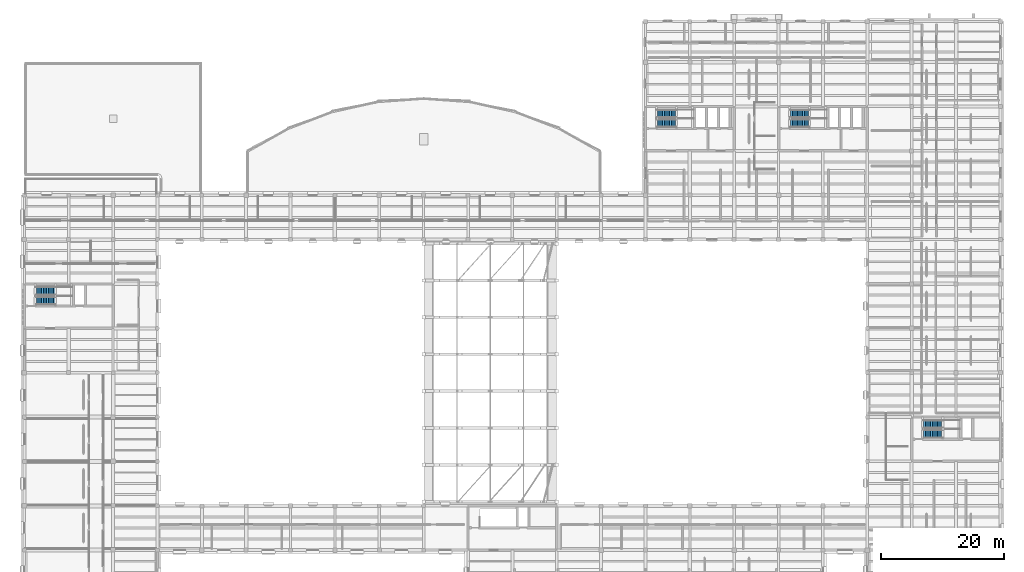
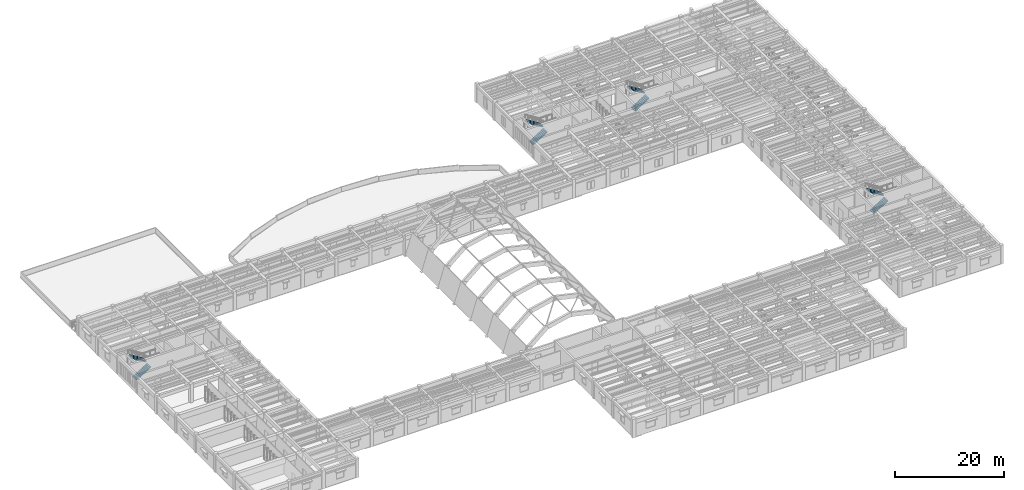
# One storey, part 55 of 66: 8 stair flights, 4 elements without a shape of their own.
"""IFC4 building model written with IfcOpenShell, lengths in metres."""

from ifc_helpers import new_model, si_unit, direction, frame, origin, place, context, subcontext, project, spatial, polyline, outline, extrude, material, type_object, element, aggregate, save


model = new_model("IFC4")

# Units and contexts
model_context = context("Model", 3, precision=1e-05, world=origin(), true_north=direction((0.0, 1.0)))
body_context = subcontext(model_context, "Body", "Model", "MODEL_VIEW")
ifc_project = project(units=[si_unit("LENGTHUNIT", "METRE"), si_unit("AREAUNIT", "SQUARE_METRE"), si_unit("VOLUMEUNIT", "CUBIC_METRE"), si_unit("PLANEANGLEUNIT", "RADIAN"), si_unit("MASSUNIT", "GRAM", prefix="KILO")], contexts=[model_context])

# Site, building, storey
site_placement = place(None, origin())
site = spatial("IfcSite", under=ifc_project, at=site_placement, CompositionType="ELEMENT")
building_placement = place(site_placement, origin())
building = spatial("IfcBuilding", under=site, at=building_placement, Name="Mithqara Police Headquarters", CompositionType="ELEMENT")
storey_placement = place(building_placement, frame((0.0, 0.0, 9.60009765625)))
storey = spatial("IfcBuildingStorey", under=building, at=storey_placement, Name="L02", CompositionType="ELEMENT", Elevation=9.60009765625)

# Stair, stair flights
ifc_material = material(Name="Concrete C40/50", Category="concrete")
stair_type_1 = type_object("IfcStairType", Name="STAIR ST 01-R24", PredefinedType="HALF_TURN_STAIR", material=ifc_material)
stair_1_placement = place(storey_placement, origin())
stair_1 = element("IfcStair", 1, at=stair_1_placement, inside=storey, type_object=stair_type_1, Name="L02 Core C1 Command West Exit Stair", PredefinedType="HALF_TURN_STAIR")
stair_flight_type_1 = type_object("IfcStairFlightType", Name="STAIR FLIGHT ST 01 F R12", PredefinedType="STRAIGHT", material=ifc_material)
stair_flight_1_placement = place(storey_placement, frame((110.550048828125, 97.47509765625, 0.0), z_axis=(0.0, 0.0, 1.0), x_axis=(1.0, 0.0, 0.0)))
stair_flight_1 = element("IfcStairFlight", 2, at=stair_flight_1_placement, type_object=stair_flight_type_1, Name="ST-01 flight 1", NumberOfRisers=12, NumberOfTreads=11, PredefinedType="STRAIGHT", RiserHeight=0.175, TreadLength=0.28, context=body_context, shape_type="SweptSolid", body=[
    extrude(outline(polyline([(0.0, 0.0), (0.0, 0.175048828125), (0.280029296875, 0.175048828125), (0.280029296875, 0.35009765625), (0.56005859375, 0.35009765625), (0.56005859375, 0.52490234375), (0.840087890625, 0.52490234375), (0.840087890625, 0.699951171875), (1.1201171875, 0.699951171875), (1.1201171875, 0.875), (1.39990234375, 0.875), (1.39990234375, 1.050048828125), (1.679931640625, 1.050048828125), (1.679931640625, 1.22509765625), (1.9599609375, 1.22509765625), (1.9599609375, 1.39990234375), (2.239990234375, 1.39990234375), (2.239990234375, 1.574951171875), (2.52001953125, 1.574951171875), (2.52001953125, 1.75), (2.800048828125, 1.75), (2.800048828125, 1.925048828125), (3.080078125, 1.925048828125), (3.080078125, 2.10009765625), (3.080078125, 1.748291015625), (0.28271484375, 0.0), (0.0, 0.0)])), frame((0.0, 0.675048828125, 0.0), z_axis=(0.0, -1.0, 0.0), x_axis=(1.0, 0.0, 0.0)), (0.0, 0.0, 1.0), 1.35009765625),
])
stair_flight_2_placement = place(storey_placement, frame((113.6298828125, 99.02490234375, 2.099853515625), z_axis=(0.0, 0.0, 1.0), x_axis=(-1.0, 0.0, 0.0)))
stair_flight_2 = element("IfcStairFlight", 3, at=stair_flight_2_placement, type_object=stair_flight_type_1, Name="ST-01 flight 2", NumberOfRisers=12, NumberOfTreads=11, PredefinedType="STRAIGHT", RiserHeight=0.175, TreadLength=0.28, context=body_context, shape_type="SweptSolid", body=[
    extrude(outline(polyline([(0.0, 0.0), (0.0, 0.175048828125), (0.280029296875, 0.175048828125), (0.280029296875, 0.35009765625), (0.56005859375, 0.35009765625), (0.56005859375, 0.52490234375), (0.840087890625, 0.52490234375), (0.840087890625, 0.699951171875), (1.1201171875, 0.699951171875), (1.1201171875, 0.875), (1.39990234375, 0.875), (1.39990234375, 1.050048828125), (1.679931640625, 1.050048828125), (1.679931640625, 1.22509765625), (1.9599609375, 1.22509765625), (1.9599609375, 1.39990234375), (2.239990234375, 1.39990234375), (2.239990234375, 1.574951171875), (2.52001953125, 1.574951171875), (2.52001953125, 1.75), (2.800048828125, 1.75), (2.800048828125, 1.925048828125), (3.080078125, 1.925048828125), (3.080078125, 2.10009765625), (3.080078125, 1.748291015625), (0.28271484375, 0.0), (0.0, 0.0)])), frame((0.0, 0.675048828125, 0.0), z_axis=(0.0, -1.0, 0.0), x_axis=(1.0, 0.0, 0.0)), (0.0, 0.0, 1.0), 1.35009765625),
])
aggregate(stair_1, [stair_flight_1, stair_flight_2])

stair_type_2 = type_object("IfcStairType", Name="STAIR ST 02-R24", PredefinedType="HALF_TURN_STAIR", material=ifc_material)
stair_2_placement = place(storey_placement, origin())
stair_2 = element("IfcStair", 4, at=stair_2_placement, inside=storey, type_object=stair_type_2, Name="L02 Core C2 Command East Exit Stair", PredefinedType="HALF_TURN_STAIR")
stair_flight_type_2 = type_object("IfcStairFlightType", Name="STAIR FLIGHT ST 02 F R12", PredefinedType="STRAIGHT", material=ifc_material)
stair_flight_3_placement = place(storey_placement, frame((132.14990234375, 97.47509765625, 0.0), z_axis=(0.0, 0.0, 1.0), x_axis=(1.0, 0.0, 0.0)))
stair_flight_3 = element("IfcStairFlight", 5, at=stair_flight_3_placement, type_object=stair_flight_type_2, Name="ST-02 flight 1", NumberOfRisers=12, NumberOfTreads=11, PredefinedType="STRAIGHT", RiserHeight=0.175, TreadLength=0.28, context=body_context, shape_type="SweptSolid", body=[
    extrude(outline(polyline([(0.0, 0.0), (0.0, 0.175048828125), (0.280029296875, 0.175048828125), (0.280029296875, 0.35009765625), (0.56005859375, 0.35009765625), (0.56005859375, 0.52490234375), (0.840087890625, 0.52490234375), (0.840087890625, 0.699951171875), (1.1201171875, 0.699951171875), (1.1201171875, 0.875), (1.39990234375, 0.875), (1.39990234375, 1.050048828125), (1.679931640625, 1.050048828125), (1.679931640625, 1.22509765625), (1.9599609375, 1.22509765625), (1.9599609375, 1.39990234375), (2.239990234375, 1.39990234375), (2.239990234375, 1.574951171875), (2.52001953125, 1.574951171875), (2.52001953125, 1.75), (2.800048828125, 1.75), (2.800048828125, 1.925048828125), (3.080078125, 1.925048828125), (3.080078125, 2.10009765625), (3.080078125, 1.748291015625), (0.28271484375, 0.0), (0.0, 0.0)])), frame((0.0, 0.675048828125, 0.0), z_axis=(0.0, -1.0, 0.0), x_axis=(1.0, 0.0, 0.0)), (0.0, 0.0, 1.0), 1.35009765625),
])
stair_flight_4_placement = place(storey_placement, frame((135.22998046875, 99.02490234375, 2.099853515625), z_axis=(0.0, 0.0, 1.0), x_axis=(-1.0, 0.0, 0.0)))
stair_flight_4 = element("IfcStairFlight", 6, at=stair_flight_4_placement, type_object=stair_flight_type_2, Name="ST-02 flight 2", NumberOfRisers=12, NumberOfTreads=11, PredefinedType="STRAIGHT", RiserHeight=0.175, TreadLength=0.28, context=body_context, shape_type="SweptSolid", body=[
    extrude(outline(polyline([(0.0, 0.0), (0.0, 0.175048828125), (0.280029296875, 0.175048828125), (0.280029296875, 0.35009765625), (0.56005859375, 0.35009765625), (0.56005859375, 0.52490234375), (0.840087890625, 0.52490234375), (0.840087890625, 0.699951171875), (1.1201171875, 0.699951171875), (1.1201171875, 0.875), (1.39990234375, 0.875), (1.39990234375, 1.050048828125), (1.679931640625, 1.050048828125), (1.679931640625, 1.22509765625), (1.9599609375, 1.22509765625), (1.9599609375, 1.39990234375), (2.239990234375, 1.39990234375), (2.239990234375, 1.574951171875), (2.52001953125, 1.574951171875), (2.52001953125, 1.75), (2.800048828125, 1.75), (2.800048828125, 1.925048828125), (3.080078125, 1.925048828125), (3.080078125, 2.10009765625), (3.080078125, 1.748291015625), (0.28271484375, 0.0), (0.0, 0.0)])), frame((0.0, 0.675048828125, 0.0), z_axis=(0.0, -1.0, 0.0), x_axis=(1.0, 0.0, 0.0)), (0.0, 0.0, 1.0), 1.35009765625),
])
aggregate(stair_2, [stair_flight_3, stair_flight_4])

stair_type_3 = type_object("IfcStairType", Name="STAIR ST 03-R24", PredefinedType="HALF_TURN_STAIR", material=ifc_material)
stair_3_placement = place(storey_placement, origin())
stair_3 = element("IfcStair", 7, at=stair_3_placement, inside=storey, type_object=stair_type_3, Name="L02 Core C3 Operations West Exit Stair", PredefinedType="HALF_TURN_STAIR")
stair_flight_type_3 = type_object("IfcStairFlightType", Name="STAIR FLIGHT ST 03 F R12", PredefinedType="STRAIGHT", material=ifc_material)
stair_flight_5_placement = place(storey_placement, frame((9.75, 68.675048828125, 0.0), z_axis=(0.0, 0.0, 1.0), x_axis=(1.0, 0.0, 0.0)))
stair_flight_5 = element("IfcStairFlight", 8, at=stair_flight_5_placement, type_object=stair_flight_type_3, Name="ST-03 flight 1", NumberOfRisers=12, NumberOfTreads=11, PredefinedType="STRAIGHT", RiserHeight=0.175, TreadLength=0.28, context=body_context, shape_type="SweptSolid", body=[
    extrude(outline(polyline([(0.0, 0.0), (0.0, 0.175048828125), (0.280029296875, 0.175048828125), (0.280029296875, 0.35009765625), (0.56005859375, 0.35009765625), (0.56005859375, 0.52490234375), (0.840087890625, 0.52490234375), (0.840087890625, 0.699951171875), (1.1201171875, 0.699951171875), (1.1201171875, 0.875), (1.39990234375, 0.875), (1.39990234375, 1.050048828125), (1.679931640625, 1.050048828125), (1.679931640625, 1.22509765625), (1.9599609375, 1.22509765625), (1.9599609375, 1.39990234375), (2.239990234375, 1.39990234375), (2.239990234375, 1.574951171875), (2.52001953125, 1.574951171875), (2.52001953125, 1.75), (2.800048828125, 1.75), (2.800048828125, 1.925048828125), (3.080078125, 1.925048828125), (3.080078125, 2.10009765625), (3.080078125, 1.748291015625), (0.28271484375, 0.0), (0.0, 0.0)])), frame((0.0, 0.675048828125, 0.0), z_axis=(0.0, -1.0, 0.0), x_axis=(1.0, 0.0, 0.0)), (0.0, 0.0, 1.0), 1.35009765625),
])
stair_flight_6_placement = place(storey_placement, frame((12.830078125, 70.22509765625, 2.099853515625), z_axis=(0.0, 0.0, 1.0), x_axis=(-1.0, 0.0, 0.0)))
stair_flight_6 = element("IfcStairFlight", 9, at=stair_flight_6_placement, type_object=stair_flight_type_3, Name="ST-03 flight 2", NumberOfRisers=12, NumberOfTreads=11, PredefinedType="STRAIGHT", RiserHeight=0.175, TreadLength=0.28, context=body_context, shape_type="SweptSolid", body=[
    extrude(outline(polyline([(0.0, 0.0), (0.0, 0.175048828125), (0.280029296875, 0.175048828125), (0.280029296875, 0.35009765625), (0.56005859375, 0.35009765625), (0.56005859375, 0.52490234375), (0.840087890625, 0.52490234375), (0.840087890625, 0.699951171875), (1.1201171875, 0.699951171875), (1.1201171875, 0.875), (1.39990234375, 0.875), (1.39990234375, 1.050048828125), (1.679931640625, 1.050048828125), (1.679931640625, 1.22509765625), (1.9599609375, 1.22509765625), (1.9599609375, 1.39990234375), (2.239990234375, 1.39990234375), (2.239990234375, 1.574951171875), (2.52001953125, 1.574951171875), (2.52001953125, 1.75), (2.800048828125, 1.75), (2.800048828125, 1.925048828125), (3.080078125, 1.925048828125), (3.080078125, 2.10009765625), (3.080078125, 1.748291015625), (0.28271484375, 0.0), (0.0, 0.0)])), frame((0.0, 0.675048828125, 0.0), z_axis=(0.0, -1.0, 0.0), x_axis=(1.0, 0.0, 0.0)), (0.0, 0.0, 1.0), 1.35009765625),
])
aggregate(stair_3, [stair_flight_5, stair_flight_6])

stair_type_4 = type_object("IfcStairType", Name="STAIR ST 04-R24", PredefinedType="HALF_TURN_STAIR", material=ifc_material)
stair_4_placement = place(storey_placement, origin())
stair_4 = element("IfcStair", 10, at=stair_4_placement, inside=storey, type_object=stair_type_4, Name="L02 Core C4 Forensics East Exit Stair", PredefinedType="HALF_TURN_STAIR")
stair_flight_type_4 = type_object("IfcStairFlightType", Name="STAIR FLIGHT ST 04 F R12", PredefinedType="STRAIGHT", material=ifc_material)
stair_flight_7_placement = place(storey_placement, frame((153.75, 47.074951171875, 0.0), z_axis=(0.0, 0.0, 1.0), x_axis=(1.0, 0.0, 0.0)))
stair_flight_7 = element("IfcStairFlight", 11, at=stair_flight_7_placement, type_object=stair_flight_type_4, Name="ST-04 flight 1", NumberOfRisers=12, NumberOfTreads=11, PredefinedType="STRAIGHT", RiserHeight=0.175, TreadLength=0.28, context=body_context, shape_type="SweptSolid", body=[
    extrude(outline(polyline([(0.0, 0.0), (0.0, 0.175048828125), (0.280029296875, 0.175048828125), (0.280029296875, 0.35009765625), (0.56005859375, 0.35009765625), (0.56005859375, 0.52490234375), (0.840087890625, 0.52490234375), (0.840087890625, 0.699951171875), (1.1201171875, 0.699951171875), (1.1201171875, 0.875), (1.39990234375, 0.875), (1.39990234375, 1.050048828125), (1.679931640625, 1.050048828125), (1.679931640625, 1.22509765625), (1.9599609375, 1.22509765625), (1.9599609375, 1.39990234375), (2.239990234375, 1.39990234375), (2.239990234375, 1.574951171875), (2.52001953125, 1.574951171875), (2.52001953125, 1.75), (2.800048828125, 1.75), (2.800048828125, 1.925048828125), (3.080078125, 1.925048828125), (3.080078125, 2.10009765625), (3.080078125, 1.748291015625), (0.28271484375, 0.0), (0.0, 0.0)])), frame((0.0, 0.675048828125, 0.0), z_axis=(0.0, -1.0, 0.0), x_axis=(1.0, 0.0, 0.0)), (0.0, 0.0, 1.0), 1.35009765625),
])
stair_flight_8_placement = place(storey_placement, frame((156.830078125, 48.625, 2.099853515625), z_axis=(0.0, 0.0, 1.0), x_axis=(-1.0, 0.0, 0.0)))
stair_flight_8 = element("IfcStairFlight", 12, at=stair_flight_8_placement, type_object=stair_flight_type_4, Name="ST-04 flight 2", NumberOfRisers=12, NumberOfTreads=11, PredefinedType="STRAIGHT", RiserHeight=0.175, TreadLength=0.28, context=body_context, shape_type="SweptSolid", body=[
    extrude(outline(polyline([(0.0, 0.0), (0.0, 0.175048828125), (0.280029296875, 0.175048828125), (0.280029296875, 0.35009765625), (0.56005859375, 0.35009765625), (0.56005859375, 0.52490234375), (0.840087890625, 0.52490234375), (0.840087890625, 0.699951171875), (1.1201171875, 0.699951171875), (1.1201171875, 0.875), (1.39990234375, 0.875), (1.39990234375, 1.050048828125), (1.679931640625, 1.050048828125), (1.679931640625, 1.22509765625), (1.9599609375, 1.22509765625), (1.9599609375, 1.39990234375), (2.239990234375, 1.39990234375), (2.239990234375, 1.574951171875), (2.52001953125, 1.574951171875), (2.52001953125, 1.75), (2.800048828125, 1.75), (2.800048828125, 1.925048828125), (3.080078125, 1.925048828125), (3.080078125, 2.10009765625), (3.080078125, 1.748291015625), (0.28271484375, 0.0), (0.0, 0.0)])), frame((0.0, 0.675048828125, 0.0), z_axis=(0.0, -1.0, 0.0), x_axis=(1.0, 0.0, 0.0)), (0.0, 0.0, 1.0), 1.35009765625),
])
aggregate(stair_4, [stair_flight_7, stair_flight_8])

save(model, "model.ifc")
